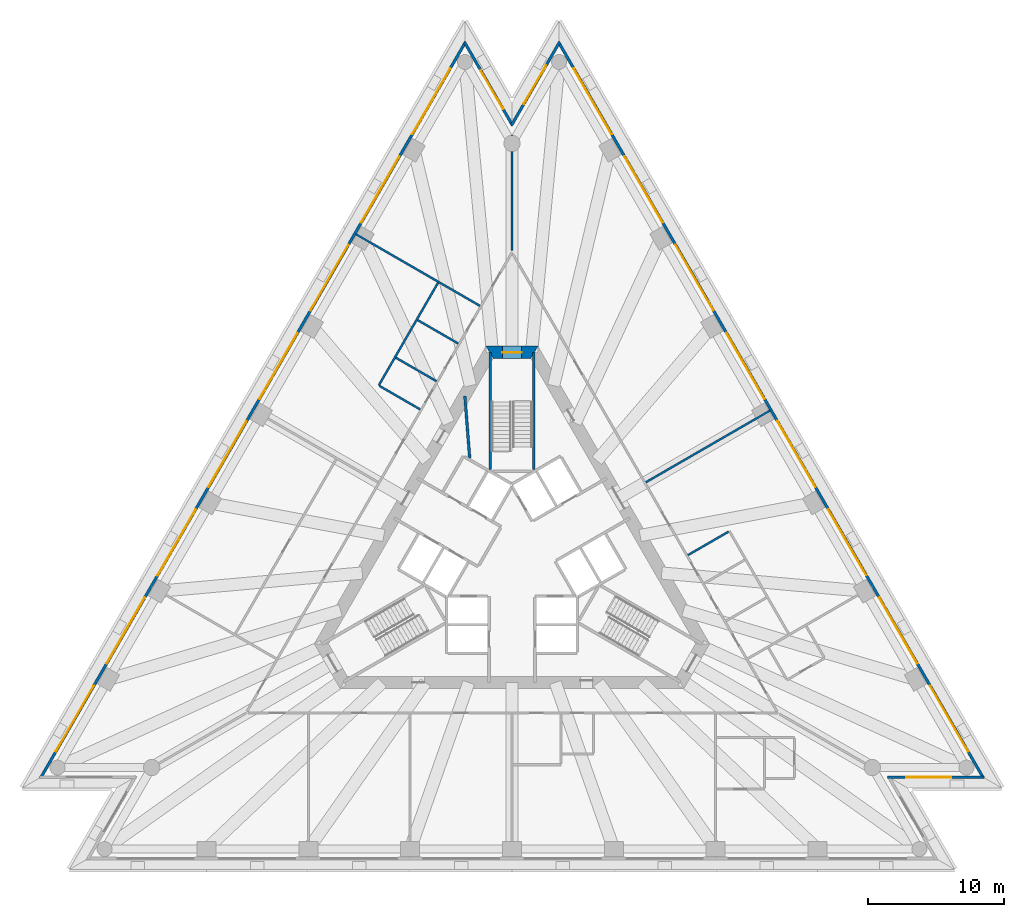
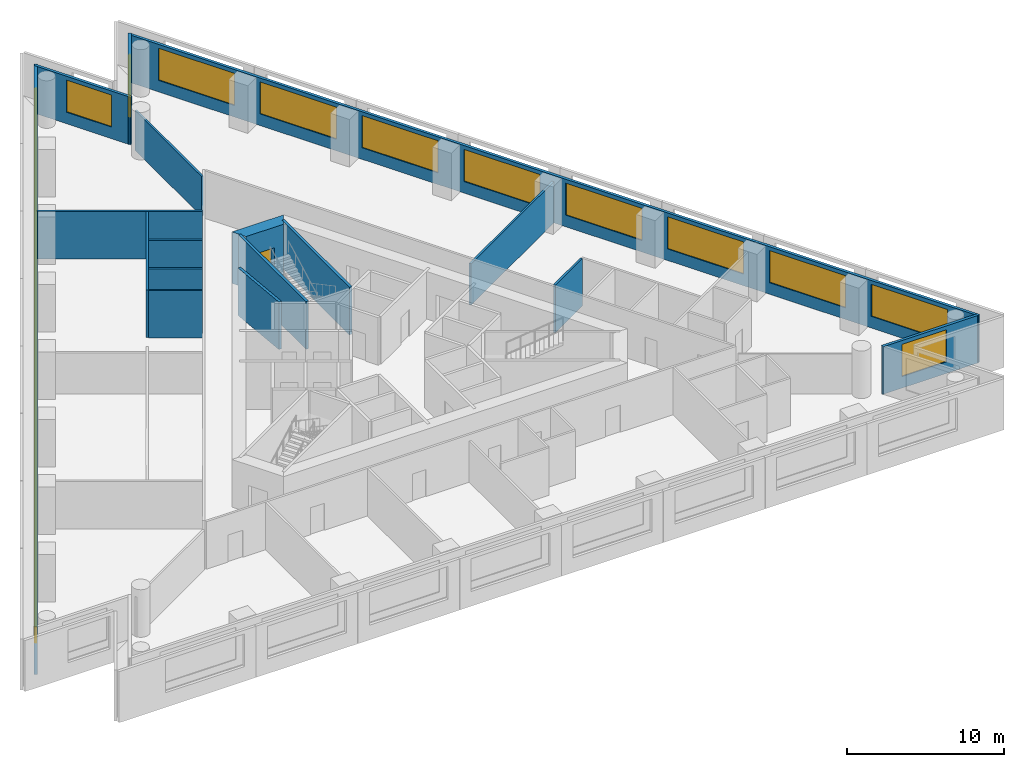
# One storey, part 6 of 9: 19 windows, 17 walls, 1 door, 20 openings.
"""IFC4 building model written with IfcOpenShell, lengths in metres."""

import ifcopenshell
import ifcopenshell.guid

model = None  # the IFC model being written
_history = None  # IfcOwnerHistory: only IFC2X3 demands one
_inside = {}  # id of a spatial element -> (the spatial element, [elements in it])
_under = {}  # id of a project, library or spatial element -> (it, [spatial elements below it])
_declared = {}  # id of a project -> (the project, [libraries it declares])
_typed = {}  # id of a type object -> (the type object, [elements of that type])
_made_of = {}  # id of a material, layer set ... -> (it, [elements and type objects made of it])


def new_model(schema):
    """Start an empty IFC model of exactly this schema.

    Asked for "IFC4X3", IfcOpenShell would pick the latest addendum, in which some entities
    have other attributes; the version numbers below select the first issue.
    IFC2X3 requires an IfcOwnerHistory on every rooted entity: one is made here for all.
    """
    global model, _history
    if schema == "IFC4X3":
        model = ifcopenshell.file(schema_version=(4, 3, 0, 0))
    else:
        model = ifcopenshell.file(schema=schema)
    _inside.clear()
    _under.clear()
    _declared.clear()
    _typed.clear()
    _made_of.clear()
    _history = None
    if model.schema == "IFC2X3":
        org = make("IfcOrganization", Name="unknown")
        user = make(
            "IfcPersonAndOrganization",
            ThePerson=make("IfcPerson", FamilyName="unknown"),
            TheOrganization=org,
        )
        app = make(
            "IfcApplication",
            ApplicationDeveloper=org,
            Version="unknown",
            ApplicationFullName="unknown",
            ApplicationIdentifier="unknown",
        )
        _history = make(
            "IfcOwnerHistory",
            OwningUser=user,
            OwningApplication=app,
            ChangeAction="ADDED",
            CreationDate=0,
        )
    return model


def make(cls, **values):
    """One entity of the class cls with the attributes given. An attribute that is None is left unset."""
    return model.create_entity(
        cls, **{name: value for name, value in values.items() if value is not None}
    )


def rooted(cls, **values):
    """An entity with a GlobalId (a new one), such as an element, a storey or a relation."""
    return make(cls, GlobalId=ifcopenshell.guid.new(), OwnerHistory=_history, **values)


def si_unit(unit_type, name, prefix=None):
    """IfcSIUnit, for example si_unit("LENGTHUNIT", "METRE", prefix="MILLI")."""
    return make("IfcSIUnit", UnitType=unit_type, Prefix=prefix, Name=name)


def assignment(units):
    """IfcUnitAssignment: the units of a project."""
    return None if units is None else make("IfcUnitAssignment", Units=units)


def point(xyz):
    """IfcCartesianPoint."""
    return None if xyz is None else make("IfcCartesianPoint", Coordinates=xyz)


def direction(xyz):
    """IfcDirection."""
    return None if xyz is None else make("IfcDirection", DirectionRatios=xyz)


def frame(location, z_axis=None, x_axis=None):
    """IfcAxis2Placement3D, a coordinate frame: its origin and axes. An axis left out is left unset."""
    return make(
        "IfcAxis2Placement3D",
        Location=point(location),
        Axis=direction(z_axis),
        RefDirection=direction(x_axis),
    )


def frame_2d(location, x_axis=None):
    """IfcAxis2Placement2D, a coordinate frame in the plane: its origin and x axis."""
    return make(
        "IfcAxis2Placement2D", Location=point(location), RefDirection=direction(x_axis)
    )


def origin():
    """The frame at (0, 0, 0) with its axes left unset."""
    return frame((0.0, 0.0, 0.0))


def place(relative_to, where):
    """IfcLocalPlacement: puts the frame where relative to a parent placement (None: the world)."""
    return make(
        "IfcLocalPlacement", PlacementRelTo=relative_to, RelativePlacement=where
    )


def context(
    kind, dimensions, precision=None, world=None, true_north=None, identifier=None
):
    """IfcGeometricRepresentationContext, for example the 3D "Model" context."""
    return make(
        "IfcGeometricRepresentationContext",
        ContextIdentifier=identifier,
        ContextType=kind,
        CoordinateSpaceDimension=dimensions,
        Precision=precision,
        WorldCoordinateSystem=world,
        TrueNorth=true_north,
    )


def subcontext(parent, identifier, kind, view, scale=None):
    """IfcGeometricRepresentationSubContext, for example "Body" below "Model"."""
    return make(
        "IfcGeometricRepresentationSubContext",
        ContextIdentifier=identifier,
        ContextType=kind,
        ParentContext=parent,
        TargetScale=scale,
        TargetView=view,
    )


def project(units=None, contexts=None):
    """IfcProject with its units and contexts."""
    return rooted(
        "IfcProject",
        Name="project",
        RepresentationContexts=contexts,
        UnitsInContext=assignment(units),
    )


def spatial(cls, under=None, at=None, **own):
    """A site, building, storey or space (cls), placed at a placement, below another one or the project."""
    s = rooted(cls, ObjectPlacement=at, **own)
    if under is not None:
        _under.setdefault(under.id(), (under, []))[1].append(s)
    return s


def polyline(points):
    """IfcPolyline through the points."""
    return make("IfcPolyline", Points=[point(p) for p in points])


def profile(cls, at=None, kind="AREA", **sizes):
    """A parametric profile (cls). Its sizes go by their IFC names, for example OverallWidth=200.0."""
    return make(cls, ProfileType=kind, Position=at, **sizes)


def rectangle(**sizes):
    """IfcRectangleProfileDef."""
    return profile("IfcRectangleProfileDef", **sizes)


def outline(outer, holes=None, kind="AREA"):
    """IfcArbitraryClosedProfileDef: a profile drawn as a closed curve; with holes, ...WithVoids."""
    if holes is None:
        return make("IfcArbitraryClosedProfileDef", ProfileType=kind, OuterCurve=outer)
    return make(
        "IfcArbitraryProfileDefWithVoids",
        ProfileType=kind,
        OuterCurve=outer,
        InnerCurves=holes,
    )


def extrude(swept, where, along, depth):
    """IfcExtrudedAreaSolid: the profile swept, set in the frame where, extruded along a direction by depth."""
    return make(
        "IfcExtrudedAreaSolid",
        SweptArea=swept,
        Position=where,
        ExtrudedDirection=direction(along),
        Depth=depth,
    )


def shape(context_of_items, identifier, shape_type, items):
    """IfcShapeRepresentation: the items that make up one representation, for example the "Body"."""
    return make(
        "IfcShapeRepresentation",
        ContextOfItems=context_of_items,
        RepresentationIdentifier=identifier,
        RepresentationType=shape_type,
        Items=items,
    )


def material(Name=None, Category=None):
    """IfcMaterial."""
    return make("IfcMaterial", Name=Name, Category=Category)


def layer(
    of_material, thickness, ventilated=None, Name=None, Category=None, Priority=None
):
    """IfcMaterialLayer: one layer of a wall or slab, of a material (None: an air gap)."""
    return make(
        "IfcMaterialLayer",
        Material=of_material,
        LayerThickness=thickness,
        IsVentilated=ventilated,
        Name=Name,
        Category=Category,
        Priority=Priority,
    )


def layer_set(layers, Name=None):
    """IfcMaterialLayerSet."""
    return make("IfcMaterialLayerSet", MaterialLayers=layers, LayerSetName=Name)


def layer_usage(for_layer_set, set_direction, sense, offset, extent=None):
    """IfcMaterialLayerSetUsage: how a layer set lies in its element."""
    return make(
        "IfcMaterialLayerSetUsage",
        ForLayerSet=for_layer_set,
        LayerSetDirection=set_direction,
        DirectionSense=sense,
        OffsetFromReferenceLine=offset,
        ReferenceExtent=extent,
    )


def made_of(thing, what):
    """Note that an element or type object is made of a material, layer set ...; save() writes the relation."""
    if what is not None:
        _made_of.setdefault(what.id(), (what, []))[1].append(thing)
    return thing


def type_object(cls, material=None, **own):
    """A type object (cls), such as IfcWallType, which elements share."""
    return made_of(rooted(cls, **own), material)


def element(
    cls,
    number,
    at=None,
    inside=None,
    cuts=None,
    type_object=None,
    material=None,
    context=None,
    identifier="Body",
    shape_type=None,
    held_by="IfcProductDefinitionShape",
    body=None,
    shapes=None,
    **own,
):
    """One element of the class cls, such as IfcWall. Its Tag is "e" and its number.

    at: its placement. inside: the storey or other place that contains it. cuts: it is an
    opening in that element (IfcRelVoidsElement). A single representation is given by context,
    identifier, shape_type and body (its items); several are given by shapes. held_by: the class
    of the entity that holds the representations. save() writes the other relations.
    """
    e = rooted(cls, Tag="e%d" % number, ObjectPlacement=at, **own)
    if body is not None:
        shapes = [shape(context, identifier, shape_type, body)]
    if shapes is not None:
        e.Representation = make(held_by, Representations=shapes)
    if inside is not None:
        _inside.setdefault(inside.id(), (inside, []))[1].append(e)
    if cuts is not None:
        rooted(
            "IfcRelVoidsElement", RelatingBuildingElement=cuts, RelatedOpeningElement=e
        )
    if type_object is not None:
        _typed.setdefault(type_object.id(), (type_object, []))[1].append(e)
    return made_of(e, material)


def fill(opening, filler):
    """IfcRelFillsElement: the door or window that sits in an opening."""
    return rooted(
        "IfcRelFillsElement",
        RelatingOpeningElement=opening,
        RelatedBuildingElement=filler,
    )


def aggregate(whole, parts):
    """IfcRelAggregates: a whole, such as a stair, and the parts it consists of."""
    return rooted("IfcRelAggregates", RelatingObject=whole, RelatedObjects=parts)


def save(model, path):
    """Write the relations noted so far, then the file.

    IfcRelAggregates (storeys below a building ...), IfcRelContainedInSpatialStructure (elements
    in a storey), IfcRelDefinesByType, IfcRelAssociatesMaterial and IfcRelDeclares: one each for
    every whole, place, type object, material and project.
    """
    for whole, parts in _under.values():
        aggregate(whole, parts)
    for where, things in _inside.values():
        rooted(
            "IfcRelContainedInSpatialStructure",
            RelatedElements=things,
            RelatingStructure=where,
        )
    for kind, things in _typed.values():
        rooted("IfcRelDefinesByType", RelatedObjects=things, RelatingType=kind)
    for what, things in _made_of.values():
        rooted("IfcRelAssociatesMaterial", RelatedObjects=things, RelatingMaterial=what)
    for by, libraries in _declared.values():
        rooted("IfcRelDeclares", RelatingContext=by, RelatedDefinitions=libraries)
    model.write(path)


model = new_model("IFC4")

# Units and contexts
model_context = context("Model", 3, precision=1e-05, world=origin(), true_north=direction((0.0, 1.0)))
body_context = subcontext(model_context, "Body", "Model", "MODEL_VIEW")
ifc_project = project(units=[si_unit("LENGTHUNIT", "METRE"), si_unit("AREAUNIT", "SQUARE_METRE"), si_unit("VOLUMEUNIT", "CUBIC_METRE"), si_unit("PLANEANGLEUNIT", "RADIAN"), si_unit("MASSUNIT", "GRAM", prefix="KILO")], contexts=[model_context])

# Site, building, storey
site_placement = place(None, origin())
site = spatial("IfcSite", under=ifc_project, at=site_placement, CompositionType="ELEMENT")
building_placement = place(site_placement, origin())
building = spatial("IfcBuilding", under=site, at=building_placement, Name="Triada Interchange Tower", CompositionType="ELEMENT")
storey_placement = place(building_placement, frame((0.0, 0.0, 51.300048828125)))
storey = spatial("IfcBuildingStorey", under=building, at=storey_placement, Name="L10", CompositionType="ELEMENT", Elevation=51.300048828125)

# Walls
ifc_material_1 = material(Name="Concrete C30/37", Category="concrete")
ifc_layer_1 = layer(ifc_material_1, 0.199951171875)
ifc_layer_set_1 = layer_set([ifc_layer_1], Name="CORE WALL 200 EI 90")
wall_type_1 = type_object("IfcWallType", Name="CORE WALL 200 EI 90", PredefinedType="SOLIDWALL", material=ifc_layer_set_1)
wall_1_placement = place(storey_placement, frame((-3.470947265625, 12.048095703125, 0.0), z_axis=(0.0, 0.0, 1.0), x_axis=(0.077900012222, -0.996961176825, 0.0)))
element("IfcWall", 1, at=wall_1_placement, inside=storey, type_object=wall_type_1, Name="Wall L09 74", PredefinedType="SOLIDWALL", context=body_context, shape_type="SweptSolid", body=[
    extrude(rectangle(XDim=4.60693359375, YDim=0.199951171875, at=frame_2d((2.303466796875, 0.0))), origin(), (0.0, 0.0, 1.0), 3.699951171875),
])
ifc_layer_2 = layer(ifc_material_1, 0.199951171875)
ifc_layer_set_2 = layer_set([ifc_layer_2], Name="CORE WALL 200 REI 240")
wall_type_2 = type_object("IfcWallType", Name="CORE WALL 200 REI 240", PredefinedType="SOLIDWALL", material=ifc_layer_set_2)
for number, where, z_axis, x_axis, name in (
    (2, (1.60009765625, 6.614990234375, 0.0), (0.0, 0.0, 1.0), (0.0, 1.0, 0.0), "Wall L09 78"),
    (3, (-1.60009765625, 6.614990234375, 0.0), (0.0, 0.0, 1.0), (0.0, 1.0, 0.0), "Wall L09 80"),
):
    element("IfcWall", number, at=place(storey_placement, frame(where, z_axis=z_axis, x_axis=x_axis)), inside=storey, type_object=wall_type_2, Name=name, PredefinedType="SOLIDWALL", context=body_context, shape_type="SweptSolid", body=[
        extrude(rectangle(XDim=8.614990234375, YDim=0.199951171875, at=frame_2d((4.3076171875, 0.0))), origin(), (0.0, 0.0, 1.0), 3.699951171875),
    ])

# Wall, opening, door
ifc_material_2 = material(Name="Concrete C70/85", Category="concrete")
ifc_layer_3 = layer(ifc_material_2, 0.89990234375)
ifc_layer_set_3 = layer_set([ifc_layer_3], Name="Core wall A 900")
wall_type_3 = type_object("IfcWallType", Name="Core wall A 900", PredefinedType="SHEAR", material=ifc_layer_set_3)
wall_2_placement = place(storey_placement, frame((1.64501953125, 15.25, -0.300048828125), z_axis=(0.0, 0.0, 1.0), x_axis=(-1.0, 0.0, 0.0)))
wall_2 = element("IfcWall", 4, at=wall_2_placement, inside=storey, type_object=wall_type_3, Name="Core wall WA01 L10", PredefinedType="SHEAR", context=body_context, shape_type="SweptSolid", body=[
    extrude(outline(polyline([(-0.260009765625, -0.449951171875), (1.64501953125, -0.449951171875), (3.550048828125, -0.449951171875), (3.031005859375, 0.449951171875), (1.64501953125, 0.449951171875), (0.259033203125, 0.449951171875), (-0.260009765625, -0.449951171875)])), origin(), (0.0, 0.0, 1.0), 4.0),
])
opening_1_placement = place(wall_2_placement, frame((0.945068359375, 0.0, 0.300048828125)))
opening_1 = element("IfcOpeningElement", 5, at=opening_1_placement, cuts=wall_2, Name="Opening D09-36", PredefinedType="OPENING", context=body_context, shape_type="SweptSolid", body=[
    extrude(rectangle(XDim=1.39990234375, YDim=2.10009765625, at=frame_2d((0.699951171875, 1.050048828125))), frame((0.0, 0.4599609375, 0.0), z_axis=(0.0, -1.0, 0.0), x_axis=(1.0, 0.0, 0.0)), (0.0, 0.0, 1.0), 0.919921875),
])
ifc_material_3 = material(Name="Steel S235 door leaf", Category="steel")
door_type = type_object("IfcDoorType", Name="STAIR DOOR 1400 EI2 90-C5S200", OperationType="DOUBLE_DOOR_SINGLE_SWING", PredefinedType="DOOR", material=ifc_material_3)
door_placement = place(opening_1_placement, origin())
door = element("IfcDoor", 6, at=door_placement, inside=storey, type_object=door_type, Name="Door D09-36 L10", OperationType="DOUBLE_DOOR_SINGLE_SWING", OverallHeight=2.10009765625, OverallWidth=1.39990234375, PredefinedType="DOOR", context=body_context, shape_type="SweptSolid", body=[
    extrude(rectangle(XDim=1.39990234375, YDim=2.10009765625, at=frame_2d((0.699951171875, 1.050048828125))), frame((0.0, 0.02490234375, 0.0), z_axis=(0.0, -1.0, 0.0), x_axis=(1.0, 0.0, 0.0)), (0.0, 0.0, 1.0), 0.050048828125),
])
fill(opening_1, door)

# Wall, openings, windows
ifc_material_4 = material(Name="Cement board")
ifc_layer_4 = layer(ifc_material_4, 0.02001953125, Name="Cement board cladding")
ifc_material_5 = material(Name="Sheathing board")
ifc_layer_5 = layer(ifc_material_5, 0.014892578125, Name="Sheathing board")
ifc_material_6 = material(Name="Mineral wool")
ifc_layer_6 = layer(ifc_material_6, 0.14990234375, Name="Mineral wool between steel studs")
ifc_material_7 = material(Name="Gypsum board")
ifc_layer_7 = layer(ifc_material_7, 0.014892578125, Name="Plasterboard lining")
ifc_layer_set_4 = layer_set([ifc_layer_4, ifc_layer_5, ifc_layer_6, ifc_layer_7], Name="External wall 200")
ifc_layer_usage = layer_usage(ifc_layer_set_4, "AXIS2", "POSITIVE", -0.10009765625)
wall_type_4 = type_object("IfcWallType", Name="External wall 200", PredefinedType="ELEMENTEDWALL", material=ifc_layer_set_4)
wall_3_placement = place(storey_placement, frame((-3.4169921875, 38.095947265625, 0.0), z_axis=(0.0, 0.0, 1.0), x_axis=(-0.500000412988, -0.866025165346, 0.0)))
wall_3 = element("IfcWall", 7, at=wall_3_placement, inside=storey, type_object=wall_type_4, material=ifc_layer_usage, Name="External wall L10 NW", PredefinedType="ELEMENTEDWALL", context=body_context, shape_type="SweptSolid", body=[
    extrude(rectangle(XDim=62.5478515625, YDim=0.199951171875, at=frame_2d((31.27392578125, 0.0))), origin(), (0.0, 0.0, 1.0), 3.699951171875),
])
opening_2_placement = place(wall_3_placement, frame((2.25, 0.0, 0.89990234375)))
opening_2 = element("IfcOpeningElement", 8, at=opening_2_placement, cuts=wall_3, Name="Opening WA01", PredefinedType="OPENING", context=body_context, shape_type="SweptSolid", body=[
    extrude(rectangle(XDim=5.60009765625, YDim=2.5, at=frame_2d((2.800048828125, 1.25))), frame((0.0, 0.10986328125, 0.0), z_axis=(0.0, -1.0, 0.0), x_axis=(1.0, 0.0, 0.0)), (0.0, 0.0, 1.0), 0.219970703125),
])
opening_3_placement = place(wall_3_placement, frame((9.7451171875, 0.0, 0.89990234375)))
opening_3 = element("IfcOpeningElement", 9, at=opening_3_placement, cuts=wall_3, Name="Opening WA02", PredefinedType="OPENING", context=body_context, shape_type="SweptSolid", body=[
    extrude(rectangle(XDim=5.60009765625, YDim=2.5, at=frame_2d((2.800048828125, 1.25))), frame((0.0, 0.10986328125, 0.0), z_axis=(0.0, -1.0, 0.0), x_axis=(1.0, 0.0, 0.0)), (0.0, 0.0, 1.0), 0.219970703125),
])
opening_4_placement = place(wall_3_placement, frame((17.240966796875, 0.0, 0.89990234375)))
opening_4 = element("IfcOpeningElement", 10, at=opening_4_placement, cuts=wall_3, Name="Opening WA03", PredefinedType="OPENING", context=body_context, shape_type="SweptSolid", body=[
    extrude(rectangle(XDim=5.60009765625, YDim=2.5, at=frame_2d((2.800048828125, 1.25))), frame((0.0, 0.10986328125, 0.0), z_axis=(0.0, -1.0, 0.0), x_axis=(1.0, 0.0, 0.0)), (0.0, 0.0, 1.0), 0.219970703125),
])
opening_5_placement = place(wall_3_placement, frame((24.736083984375, 0.0, 0.89990234375)))
opening_5 = element("IfcOpeningElement", 11, at=opening_5_placement, cuts=wall_3, Name="Opening WA04", PredefinedType="OPENING", context=body_context, shape_type="SweptSolid", body=[
    extrude(rectangle(XDim=5.60009765625, YDim=2.5, at=frame_2d((2.800048828125, 1.25))), frame((0.0, 0.10986328125, 0.0), z_axis=(0.0, -1.0, 0.0), x_axis=(1.0, 0.0, 0.0)), (0.0, 0.0, 1.0), 0.219970703125),
])
opening_6_placement = place(wall_3_placement, frame((32.23095703125, 0.0, 0.89990234375)))
opening_6 = element("IfcOpeningElement", 12, at=opening_6_placement, cuts=wall_3, Name="Opening WA05", PredefinedType="OPENING", context=body_context, shape_type="SweptSolid", body=[
    extrude(rectangle(XDim=5.60009765625, YDim=2.5, at=frame_2d((2.800048828125, 1.25))), frame((0.0, 0.10986328125, 0.0), z_axis=(0.0, -1.0, 0.0), x_axis=(1.0, 0.0, 0.0)), (0.0, 0.0, 1.0), 0.219970703125),
])
opening_7_placement = place(wall_3_placement, frame((39.72705078125, 0.0, 0.89990234375)))
opening_7 = element("IfcOpeningElement", 13, at=opening_7_placement, cuts=wall_3, Name="Opening WA06", PredefinedType="OPENING", context=body_context, shape_type="SweptSolid", body=[
    extrude(rectangle(XDim=5.60009765625, YDim=2.5, at=frame_2d((2.800048828125, 1.25))), frame((0.0, 0.10986328125, 0.0), z_axis=(0.0, -1.0, 0.0), x_axis=(1.0, 0.0, 0.0)), (0.0, 0.0, 1.0), 0.219970703125),
])
opening_8_placement = place(wall_3_placement, frame((47.221923828125, 0.0, 0.89990234375)))
opening_8 = element("IfcOpeningElement", 14, at=opening_8_placement, cuts=wall_3, Name="Opening WA07", PredefinedType="OPENING", context=body_context, shape_type="SweptSolid", body=[
    extrude(rectangle(XDim=5.60009765625, YDim=2.5, at=frame_2d((2.800048828125, 1.25))), frame((0.0, 0.10986328125, 0.0), z_axis=(0.0, -1.0, 0.0), x_axis=(1.0, 0.0, 0.0)), (0.0, 0.0, 1.0), 0.219970703125),
])
opening_9_placement = place(wall_3_placement, frame((54.717041015625, 0.0, 0.89990234375)))
opening_9 = element("IfcOpeningElement", 15, at=opening_9_placement, cuts=wall_3, Name="Opening WA08", PredefinedType="OPENING", context=body_context, shape_type="SweptSolid", body=[
    extrude(rectangle(XDim=5.60009765625, YDim=2.5, at=frame_2d((2.800048828125, 1.25))), frame((0.0, 0.10986328125, 0.0), z_axis=(0.0, -1.0, 0.0), x_axis=(1.0, 0.0, 0.0)), (0.0, 0.0, 1.0), 0.219970703125),
])
ifc_material_8 = material(Name="Double glazed aluminium window", Category="aluminium")
window_type_1 = type_object("IfcWindowType", Name="Ribbon window A face", PartitioningType="SINGLE_PANEL", PredefinedType="WINDOW", material=ifc_material_8)
window_1_placement = place(opening_2_placement, origin())
window_1 = element("IfcWindow", 16, at=window_1_placement, inside=storey, type_object=window_type_1, Name="Window L10 NW 1", OverallHeight=2.5, OverallWidth=5.60009765625, PartitioningType="SINGLE_PANEL", PredefinedType="WINDOW", context=body_context, shape_type="SweptSolid", body=[
    extrude(rectangle(XDim=5.60009765625, YDim=2.5, at=frame_2d((2.800048828125, 1.25))), frame((0.0, 0.030029296875, 0.0), z_axis=(0.0, -1.0, 0.0), x_axis=(1.0, 0.0, 0.0)), (0.0, 0.0, 1.0), 0.06005859375),
])
fill(opening_2, window_1)
window_2_placement = place(opening_3_placement, origin())
window_2 = element("IfcWindow", 17, at=window_2_placement, inside=storey, type_object=window_type_1, Name="Window L10 NW 2", OverallHeight=2.5, OverallWidth=5.60009765625, PartitioningType="SINGLE_PANEL", PredefinedType="WINDOW", context=body_context, shape_type="SweptSolid", body=[
    extrude(rectangle(XDim=5.60009765625, YDim=2.5, at=frame_2d((2.800048828125, 1.25))), frame((0.0, 0.030029296875, 0.0), z_axis=(0.0, -1.0, 0.0), x_axis=(1.0, 0.0, 0.0)), (0.0, 0.0, 1.0), 0.06005859375),
])
fill(opening_3, window_2)
window_3_placement = place(opening_4_placement, origin())
window_3 = element("IfcWindow", 18, at=window_3_placement, inside=storey, type_object=window_type_1, Name="Window L10 NW 3", OverallHeight=2.5, OverallWidth=5.60009765625, PartitioningType="SINGLE_PANEL", PredefinedType="WINDOW", context=body_context, shape_type="SweptSolid", body=[
    extrude(rectangle(XDim=5.60009765625, YDim=2.5, at=frame_2d((2.800048828125, 1.25))), frame((0.0, 0.030029296875, 0.0), z_axis=(0.0, -1.0, 0.0), x_axis=(1.0, 0.0, 0.0)), (0.0, 0.0, 1.0), 0.06005859375),
])
fill(opening_4, window_3)
window_4_placement = place(opening_5_placement, origin())
window_4 = element("IfcWindow", 19, at=window_4_placement, inside=storey, type_object=window_type_1, Name="Window L10 NW 4", OverallHeight=2.5, OverallWidth=5.60009765625, PartitioningType="SINGLE_PANEL", PredefinedType="WINDOW", context=body_context, shape_type="SweptSolid", body=[
    extrude(rectangle(XDim=5.60009765625, YDim=2.5, at=frame_2d((2.800048828125, 1.25))), frame((0.0, 0.030029296875, 0.0), z_axis=(0.0, -1.0, 0.0), x_axis=(1.0, 0.0, 0.0)), (0.0, 0.0, 1.0), 0.06005859375),
])
fill(opening_5, window_4)
window_5_placement = place(opening_6_placement, origin())
window_5 = element("IfcWindow", 20, at=window_5_placement, inside=storey, type_object=window_type_1, Name="Window L10 NW 5", OverallHeight=2.5, OverallWidth=5.60009765625, PartitioningType="SINGLE_PANEL", PredefinedType="WINDOW", context=body_context, shape_type="SweptSolid", body=[
    extrude(rectangle(XDim=5.60009765625, YDim=2.5, at=frame_2d((2.800048828125, 1.25))), frame((0.0, 0.030029296875, 0.0), z_axis=(0.0, -1.0, 0.0), x_axis=(1.0, 0.0, 0.0)), (0.0, 0.0, 1.0), 0.06005859375),
])
fill(opening_6, window_5)
window_6_placement = place(opening_7_placement, origin())
window_6 = element("IfcWindow", 21, at=window_6_placement, inside=storey, type_object=window_type_1, Name="Window L10 NW 6", OverallHeight=2.5, OverallWidth=5.60009765625, PartitioningType="SINGLE_PANEL", PredefinedType="WINDOW", context=body_context, shape_type="SweptSolid", body=[
    extrude(rectangle(XDim=5.60009765625, YDim=2.5, at=frame_2d((2.800048828125, 1.25))), frame((0.0, 0.030029296875, 0.0), z_axis=(0.0, -1.0, 0.0), x_axis=(1.0, 0.0, 0.0)), (0.0, 0.0, 1.0), 0.06005859375),
])
fill(opening_7, window_6)
window_7_placement = place(opening_8_placement, origin())
window_7 = element("IfcWindow", 22, at=window_7_placement, inside=storey, type_object=window_type_1, Name="Window L10 NW 7", OverallHeight=2.5, OverallWidth=5.60009765625, PartitioningType="SINGLE_PANEL", PredefinedType="WINDOW", context=body_context, shape_type="SweptSolid", body=[
    extrude(rectangle(XDim=5.60009765625, YDim=2.5, at=frame_2d((2.800048828125, 1.25))), frame((0.0, 0.030029296875, 0.0), z_axis=(0.0, -1.0, 0.0), x_axis=(1.0, 0.0, 0.0)), (0.0, 0.0, 1.0), 0.06005859375),
])
fill(opening_8, window_7)
window_8_placement = place(opening_9_placement, origin())
window_8 = element("IfcWindow", 23, at=window_8_placement, inside=storey, type_object=window_type_1, Name="Window L10 NW 8", OverallHeight=2.5, OverallWidth=5.60009765625, PartitioningType="SINGLE_PANEL", PredefinedType="WINDOW", context=body_context, shape_type="SweptSolid", body=[
    extrude(rectangle(XDim=5.60009765625, YDim=2.5, at=frame_2d((2.800048828125, 1.25))), frame((0.0, 0.030029296875, 0.0), z_axis=(0.0, -1.0, 0.0), x_axis=(1.0, 0.0, 0.0)), (0.0, 0.0, 1.0), 0.06005859375),
])
fill(opening_9, window_8)

# Wall, opening, window
wall_4_placement = place(storey_placement, frame((27.64208984375, -16.010986328125, 0.0), z_axis=(0.0, 0.0, 1.0), x_axis=(1.0, 0.0, 0.0)))
wall_4 = element("IfcWall", 24, at=wall_4_placement, inside=storey, type_object=wall_type_4, material=ifc_layer_usage, Name="External wall L10 SE-2", PredefinedType="ELEMENTEDWALL", context=body_context, shape_type="SweptSolid", body=[
    extrude(rectangle(XDim=7.083984375, YDim=0.199951171875, at=frame_2d((3.5419921875, 0.0))), origin(), (0.0, 0.0, 1.0), 3.699951171875),
])
opening_10_placement = place(wall_4_placement, frame((1.389892578125, 0.0, 0.89990234375)))
opening_10 = element("IfcOpeningElement", 25, at=opening_10_placement, cuts=wall_4, Name="Opening WA20", PredefinedType="OPENING", context=body_context, shape_type="SweptSolid", body=[
    extrude(rectangle(XDim=3.300048828125, YDim=2.5, at=frame_2d((1.64990234375, 1.25))), frame((0.0, 0.10986328125, 0.0), z_axis=(0.0, -1.0, 0.0), x_axis=(1.0, 0.0, 0.0)), (0.0, 0.0, 1.0), 0.219970703125),
])
window_type_2 = type_object("IfcWindowType", Name="Ribbon window A pocket", PartitioningType="SINGLE_PANEL", PredefinedType="WINDOW", material=ifc_material_8)
window_9_placement = place(opening_10_placement, origin())
window_9 = element("IfcWindow", 26, at=window_9_placement, inside=storey, type_object=window_type_2, Name="Window L10 SE-2 1", OverallHeight=2.5, OverallWidth=3.300048828125, PartitioningType="SINGLE_PANEL", PredefinedType="WINDOW", context=body_context, shape_type="SweptSolid", body=[
    extrude(rectangle(XDim=3.300048828125, YDim=2.5, at=frame_2d((1.64990234375, 1.25))), frame((0.0, 0.030029296875, 0.0), z_axis=(0.0, -1.0, 0.0), x_axis=(1.0, 0.0, 0.0)), (0.0, 0.0, 1.0), 0.06005859375),
])
fill(opening_10, window_9)

# Wall, openings, windows
wall_5_placement = place(storey_placement, frame((34.700927734375, -16.089111328125, 0.0), z_axis=(0.0, 0.0, 1.0), x_axis=(-0.499998722828, 0.866026141159, 0.0)))
wall_5 = element("IfcWall", 27, at=wall_5_placement, inside=storey, type_object=wall_type_4, material=ifc_layer_usage, Name="External wall L10 NE", PredefinedType="ELEMENTEDWALL", context=body_context, shape_type="SweptSolid", body=[
    extrude(rectangle(XDim=62.548095703125, YDim=0.199951171875, at=frame_2d((31.27392578125, 0.0))), origin(), (0.0, 0.0, 1.0), 3.699951171875),
])
opening_11_placement = place(wall_5_placement, frame((2.25, 0.0, 0.89990234375)))
opening_11 = element("IfcOpeningElement", 28, at=opening_11_placement, cuts=wall_5, Name="Opening WA21", PredefinedType="OPENING", context=body_context, shape_type="SweptSolid", body=[
    extrude(rectangle(XDim=5.60009765625, YDim=2.5, at=frame_2d((2.800048828125, 1.25))), frame((0.0, 0.10986328125, 0.0), z_axis=(0.0, -1.0, 0.0), x_axis=(1.0, 0.0, 0.0)), (0.0, 0.0, 1.0), 0.219970703125),
])
opening_12_placement = place(wall_5_placement, frame((9.74609375, 0.0, 0.89990234375)))
opening_12 = element("IfcOpeningElement", 29, at=opening_12_placement, cuts=wall_5, Name="Opening WA22", PredefinedType="OPENING", context=body_context, shape_type="SweptSolid", body=[
    extrude(rectangle(XDim=5.60009765625, YDim=2.5, at=frame_2d((2.800048828125, 1.25))), frame((0.0, 0.10986328125, 0.0), z_axis=(0.0, -1.0, 0.0), x_axis=(1.0, 0.0, 0.0)), (0.0, 0.0, 1.0), 0.219970703125),
])
opening_13_placement = place(wall_5_placement, frame((17.240966796875, 0.0, 0.89990234375)))
opening_13 = element("IfcOpeningElement", 30, at=opening_13_placement, cuts=wall_5, Name="Opening WA23", PredefinedType="OPENING", context=body_context, shape_type="SweptSolid", body=[
    extrude(rectangle(XDim=5.60009765625, YDim=2.5, at=frame_2d((2.800048828125, 1.25))), frame((0.0, 0.10986328125, 0.0), z_axis=(0.0, -1.0, 0.0), x_axis=(1.0, 0.0, 0.0)), (0.0, 0.0, 1.0), 0.219970703125),
])
opening_14_placement = place(wall_5_placement, frame((24.736083984375, 0.0, 0.89990234375)))
opening_14 = element("IfcOpeningElement", 31, at=opening_14_placement, cuts=wall_5, Name="Opening WA24", PredefinedType="OPENING", context=body_context, shape_type="SweptSolid", body=[
    extrude(rectangle(XDim=5.60009765625, YDim=2.5, at=frame_2d((2.800048828125, 1.25))), frame((0.0, 0.10986328125, 0.0), z_axis=(0.0, -1.0, 0.0), x_axis=(1.0, 0.0, 0.0)), (0.0, 0.0, 1.0), 0.219970703125),
])
opening_15_placement = place(wall_5_placement, frame((32.23193359375, 0.0, 0.89990234375)))
opening_15 = element("IfcOpeningElement", 32, at=opening_15_placement, cuts=wall_5, Name="Opening WA25", PredefinedType="OPENING", context=body_context, shape_type="SweptSolid", body=[
    extrude(rectangle(XDim=5.60009765625, YDim=2.5, at=frame_2d((2.800048828125, 1.25))), frame((0.0, 0.10986328125, 0.0), z_axis=(0.0, -1.0, 0.0), x_axis=(1.0, 0.0, 0.0)), (0.0, 0.0, 1.0), 0.219970703125),
])
opening_16_placement = place(wall_5_placement, frame((39.72705078125, 0.0, 0.89990234375)))
opening_16 = element("IfcOpeningElement", 33, at=opening_16_placement, cuts=wall_5, Name="Opening WA26", PredefinedType="OPENING", context=body_context, shape_type="SweptSolid", body=[
    extrude(rectangle(XDim=5.60009765625, YDim=2.5, at=frame_2d((2.800048828125, 1.25))), frame((0.0, 0.10986328125, 0.0), z_axis=(0.0, -1.0, 0.0), x_axis=(1.0, 0.0, 0.0)), (0.0, 0.0, 1.0), 0.219970703125),
])
opening_17_placement = place(wall_5_placement, frame((47.221923828125, 0.0, 0.89990234375)))
opening_17 = element("IfcOpeningElement", 34, at=opening_17_placement, cuts=wall_5, Name="Opening WA27", PredefinedType="OPENING", context=body_context, shape_type="SweptSolid", body=[
    extrude(rectangle(XDim=5.60009765625, YDim=2.5, at=frame_2d((2.800048828125, 1.25))), frame((0.0, 0.10986328125, 0.0), z_axis=(0.0, -1.0, 0.0), x_axis=(1.0, 0.0, 0.0)), (0.0, 0.0, 1.0), 0.219970703125),
])
opening_18_placement = place(wall_5_placement, frame((54.717041015625, 0.0, 0.89990234375)))
opening_18 = element("IfcOpeningElement", 35, at=opening_18_placement, cuts=wall_5, Name="Opening WA28", PredefinedType="OPENING", context=body_context, shape_type="SweptSolid", body=[
    extrude(rectangle(XDim=5.60009765625, YDim=2.5, at=frame_2d((2.800048828125, 1.25))), frame((0.0, 0.10986328125, 0.0), z_axis=(0.0, -1.0, 0.0), x_axis=(1.0, 0.0, 0.0)), (0.0, 0.0, 1.0), 0.219970703125),
])
window_10_placement = place(opening_11_placement, origin())
window_10 = element("IfcWindow", 36, at=window_10_placement, inside=storey, type_object=window_type_1, Name="Window L10 NE 1", OverallHeight=2.5, OverallWidth=5.60009765625, PartitioningType="SINGLE_PANEL", PredefinedType="WINDOW", context=body_context, shape_type="SweptSolid", body=[
    extrude(rectangle(XDim=5.60009765625, YDim=2.5, at=frame_2d((2.800048828125, 1.25))), frame((0.0, 0.030029296875, 0.0), z_axis=(0.0, -1.0, 0.0), x_axis=(1.0, 0.0, 0.0)), (0.0, 0.0, 1.0), 0.06005859375),
])
fill(opening_11, window_10)
window_11_placement = place(opening_12_placement, origin())
window_11 = element("IfcWindow", 37, at=window_11_placement, inside=storey, type_object=window_type_1, Name="Window L10 NE 2", OverallHeight=2.5, OverallWidth=5.60009765625, PartitioningType="SINGLE_PANEL", PredefinedType="WINDOW", context=body_context, shape_type="SweptSolid", body=[
    extrude(rectangle(XDim=5.60009765625, YDim=2.5, at=frame_2d((2.800048828125, 1.25))), frame((0.0, 0.030029296875, 0.0), z_axis=(0.0, -1.0, 0.0), x_axis=(1.0, 0.0, 0.0)), (0.0, 0.0, 1.0), 0.06005859375),
])
fill(opening_12, window_11)
window_12_placement = place(opening_13_placement, origin())
window_12 = element("IfcWindow", 38, at=window_12_placement, inside=storey, type_object=window_type_1, Name="Window L10 NE 3", OverallHeight=2.5, OverallWidth=5.60009765625, PartitioningType="SINGLE_PANEL", PredefinedType="WINDOW", context=body_context, shape_type="SweptSolid", body=[
    extrude(rectangle(XDim=5.60009765625, YDim=2.5, at=frame_2d((2.800048828125, 1.25))), frame((0.0, 0.030029296875, 0.0), z_axis=(0.0, -1.0, 0.0), x_axis=(1.0, 0.0, 0.0)), (0.0, 0.0, 1.0), 0.06005859375),
])
fill(opening_13, window_12)
window_13_placement = place(opening_14_placement, origin())
window_13 = element("IfcWindow", 39, at=window_13_placement, inside=storey, type_object=window_type_1, Name="Window L10 NE 4", OverallHeight=2.5, OverallWidth=5.60009765625, PartitioningType="SINGLE_PANEL", PredefinedType="WINDOW", context=body_context, shape_type="SweptSolid", body=[
    extrude(rectangle(XDim=5.60009765625, YDim=2.5, at=frame_2d((2.800048828125, 1.25))), frame((0.0, 0.030029296875, 0.0), z_axis=(0.0, -1.0, 0.0), x_axis=(1.0, 0.0, 0.0)), (0.0, 0.0, 1.0), 0.06005859375),
])
fill(opening_14, window_13)
window_14_placement = place(opening_15_placement, origin())
window_14 = element("IfcWindow", 40, at=window_14_placement, inside=storey, type_object=window_type_1, Name="Window L10 NE 5", OverallHeight=2.5, OverallWidth=5.60009765625, PartitioningType="SINGLE_PANEL", PredefinedType="WINDOW", context=body_context, shape_type="SweptSolid", body=[
    extrude(rectangle(XDim=5.60009765625, YDim=2.5, at=frame_2d((2.800048828125, 1.25))), frame((0.0, 0.030029296875, 0.0), z_axis=(0.0, -1.0, 0.0), x_axis=(1.0, 0.0, 0.0)), (0.0, 0.0, 1.0), 0.06005859375),
])
fill(opening_15, window_14)
window_15_placement = place(opening_16_placement, origin())
window_15 = element("IfcWindow", 41, at=window_15_placement, inside=storey, type_object=window_type_1, Name="Window L10 NE 6", OverallHeight=2.5, OverallWidth=5.60009765625, PartitioningType="SINGLE_PANEL", PredefinedType="WINDOW", context=body_context, shape_type="SweptSolid", body=[
    extrude(rectangle(XDim=5.60009765625, YDim=2.5, at=frame_2d((2.800048828125, 1.25))), frame((0.0, 0.030029296875, 0.0), z_axis=(0.0, -1.0, 0.0), x_axis=(1.0, 0.0, 0.0)), (0.0, 0.0, 1.0), 0.06005859375),
])
fill(opening_16, window_15)
window_16_placement = place(opening_17_placement, origin())
window_16 = element("IfcWindow", 42, at=window_16_placement, inside=storey, type_object=window_type_1, Name="Window L10 NE 7", OverallHeight=2.5, OverallWidth=5.60009765625, PartitioningType="SINGLE_PANEL", PredefinedType="WINDOW", context=body_context, shape_type="SweptSolid", body=[
    extrude(rectangle(XDim=5.60009765625, YDim=2.5, at=frame_2d((2.800048828125, 1.25))), frame((0.0, 0.030029296875, 0.0), z_axis=(0.0, -1.0, 0.0), x_axis=(1.0, 0.0, 0.0)), (0.0, 0.0, 1.0), 0.06005859375),
])
fill(opening_17, window_16)
window_17_placement = place(opening_18_placement, origin())
window_17 = element("IfcWindow", 43, at=window_17_placement, inside=storey, type_object=window_type_1, Name="Window L10 NE 8", OverallHeight=2.5, OverallWidth=5.60009765625, PartitioningType="SINGLE_PANEL", PredefinedType="WINDOW", context=body_context, shape_type="SweptSolid", body=[
    extrude(rectangle(XDim=5.60009765625, YDim=2.5, at=frame_2d((2.800048828125, 1.25))), frame((0.0, 0.030029296875, 0.0), z_axis=(0.0, -1.0, 0.0), x_axis=(1.0, 0.0, 0.0)), (0.0, 0.0, 1.0), 0.06005859375),
])
fill(opening_18, window_17)

# Wall, opening, window
wall_6_placement = place(storey_placement, frame((3.507080078125, 38.095947265625, 0.0), z_axis=(0.0, 0.0, 1.0), x_axis=(-0.499993928037, -0.866028909405, 0.0)))
wall_6 = element("IfcWall", 44, at=wall_6_placement, inside=storey, type_object=wall_type_4, material=ifc_layer_usage, Name="External wall L10 N-1", PredefinedType="ELEMENTEDWALL", context=body_context, shape_type="SweptSolid", body=[
    extrude(rectangle(XDim=7.083984375, YDim=0.199951171875, at=frame_2d((3.5419921875, 0.0))), origin(), (0.0, 0.0, 1.0), 3.699951171875),
])
opening_19_placement = place(wall_6_placement, frame((1.989990234375, 0.0, 0.89990234375)))
opening_19 = element("IfcOpeningElement", 45, at=opening_19_placement, cuts=wall_6, Name="Opening WA29", PredefinedType="OPENING", context=body_context, shape_type="SweptSolid", body=[
    extrude(rectangle(XDim=3.300048828125, YDim=2.5, at=frame_2d((1.64990234375, 1.25))), frame((0.0, 0.10986328125, 0.0), z_axis=(0.0, -1.0, 0.0), x_axis=(1.0, 0.0, 0.0)), (0.0, 0.0, 1.0), 0.219970703125),
])
window_18_placement = place(opening_19_placement, origin())
window_18 = element("IfcWindow", 46, at=window_18_placement, inside=storey, type_object=window_type_2, Name="Window L10 N-1 1", OverallHeight=2.5, OverallWidth=3.300048828125, PartitioningType="SINGLE_PANEL", PredefinedType="WINDOW", context=body_context, shape_type="SweptSolid", body=[
    extrude(rectangle(XDim=3.300048828125, YDim=2.5, at=frame_2d((1.64990234375, 1.25))), frame((0.0, 0.030029296875, 0.0), z_axis=(0.0, -1.0, 0.0), x_axis=(1.0, 0.0, 0.0)), (0.0, 0.0, 1.0), 0.06005859375),
])
fill(opening_19, window_18)

wall_7_placement = place(storey_placement, frame((0.044921875, 31.944091796875, 0.0), z_axis=(0.0, 0.0, 1.0), x_axis=(-0.499993928037, 0.866028909405, 0.0)))
wall_7 = element("IfcWall", 47, at=wall_7_placement, inside=storey, type_object=wall_type_4, material=ifc_layer_usage, Name="External wall L10 N-2", PredefinedType="ELEMENTEDWALL", context=body_context, shape_type="SweptSolid", body=[
    extrude(rectangle(XDim=7.083984375, YDim=0.199951171875, at=frame_2d((3.5419921875, 0.0))), origin(), (0.0, 0.0, 1.0), 3.699951171875),
])
opening_20_placement = place(wall_7_placement, frame((1.389892578125, 0.0, 0.89990234375)))
opening_20 = element("IfcOpeningElement", 48, at=opening_20_placement, cuts=wall_7, Name="Opening WA30", PredefinedType="OPENING", context=body_context, shape_type="SweptSolid", body=[
    extrude(rectangle(XDim=3.300048828125, YDim=2.5, at=frame_2d((1.64990234375, 1.25))), frame((0.0, 0.10986328125, 0.0), z_axis=(0.0, -1.0, 0.0), x_axis=(1.0, 0.0, 0.0)), (0.0, 0.0, 1.0), 0.219970703125),
])
window_19_placement = place(opening_20_placement, origin())
window_19 = element("IfcWindow", 49, at=window_19_placement, inside=storey, type_object=window_type_2, Name="Window L10 N-2 1", OverallHeight=2.5, OverallWidth=3.300048828125, PartitioningType="SINGLE_PANEL", PredefinedType="WINDOW", context=body_context, shape_type="SweptSolid", body=[
    extrude(rectangle(XDim=3.300048828125, YDim=2.5, at=frame_2d((1.64990234375, 1.25))), frame((0.0, 0.030029296875, 0.0), z_axis=(0.0, -1.0, 0.0), x_axis=(1.0, 0.0, 0.0)), (0.0, 0.0, 1.0), 0.06005859375),
])
fill(opening_20, window_19)

# Walls
ifc_material_9 = material(Name="Gypsum board partition")
ifc_layer_8 = layer(ifc_material_9, 0.14990234375)
ifc_layer_set_5 = layer_set([ifc_layer_8], Name="PARTITION 150 EI 180")
wall_type_5 = type_object("IfcWallType", Name="PARTITION 150 EI 180", PredefinedType="PARTITIONING", material=ifc_layer_set_5)
wall_8_placement = place(storey_placement, frame((9.85107421875, 5.68701171875, 0.0), z_axis=(0.0, 0.0, 1.0), x_axis=(0.865971732763, 0.500092949416, 0.0)))
element("IfcWall", 50, at=wall_8_placement, inside=storey, type_object=wall_type_5, Name="Wall L09 2", PredefinedType="PARTITIONING", context=body_context, shape_type="SweptSolid", body=[
    extrude(rectangle(XDim=10.55224609375, YDim=0.14990234375, at=frame_2d((5.276123046875, 0.0))), origin(), (0.0, 0.0, 1.0), 3.199951171875),
])
wall_9_placement = place(storey_placement, frame((-11.493896484375, 23.946044921875, 0.0), z_axis=(0.0, 0.0, 1.0), x_axis=(0.866011810196, -0.500023544047, 0.0)))
element("IfcWall", 51, at=wall_9_placement, inside=storey, type_object=wall_type_5, Name="Wall L09 9", PredefinedType="PARTITIONING", context=body_context, shape_type="SweptSolid", body=[
    extrude(rectangle(XDim=10.5517578125, YDim=0.14990234375, at=frame_2d((5.27587890625, 0.0))), origin(), (0.0, 0.0, 1.0), 3.699951171875),
])
wall_10_placement = place(storey_placement, frame((-9.80810546875, 12.81103515625, 0.0), z_axis=(0.0, 0.0, 1.0), x_axis=(0.49992187278, 0.866070505857, 0.0)))
element("IfcWall", 52, at=wall_10_placement, inside=storey, type_object=wall_type_5, Name="Wall L09 10", PredefinedType="PARTITIONING", context=body_context, shape_type="SweptSolid", body=[
    extrude(rectangle(XDim=8.7255859375, YDim=0.14990234375, at=frame_2d((4.36279296875, 0.0))), origin(), (0.0, 0.0, 1.0), 3.699951171875),
])
wall_11_placement = place(storey_placement, frame((-9.742919921875, 12.77392578125, 0.0), z_axis=(0.0, 0.0, 1.0), x_axis=(0.865973391227, -0.500090077572, 0.0)))
element("IfcWall", 53, at=wall_11_placement, inside=storey, type_object=wall_type_5, Name="Wall L09 11", PredefinedType="PARTITIONING", context=body_context, shape_type="SweptSolid", body=[
    extrude(rectangle(XDim=3.448974609375, YDim=0.14990234375, at=frame_2d((1.724609375, 0.0))), origin(), (0.0, 0.0, 1.0), 3.699951171875),
])
for number, where, z_axis, x_axis, name in (
    (54, (-8.54296875, 14.85205078125, 0.0), (0.0, 0.0, 1.0), (0.865960440485, -0.500112502858, 0.0), "Wall L09 12"),
    (55, (-6.943115234375, 17.6240234375, 0.0), (0.0, 0.0, 1.0), (0.865960440485, -0.500112502858, 0.0), "Wall L09 14"),
):
    element("IfcWall", number, at=place(storey_placement, frame(where, z_axis=z_axis, x_axis=x_axis)), inside=storey, type_object=wall_type_5, Name=name, PredefinedType="PARTITIONING", context=body_context, shape_type="SweptSolid", body=[
        extrude(rectangle(XDim=3.449462890625, YDim=0.14990234375, at=frame_2d((1.724609375, 0.0))), origin(), (0.0, 0.0, 1.0), 3.699951171875),
    ])
wall_12_placement = place(storey_placement, frame((0.0, 22.75, 0.0), z_axis=(0.0, 0.0, 1.0), x_axis=(0.0, 1.0, 0.0)))
element("IfcWall", 56, at=wall_12_placement, inside=storey, type_object=wall_type_5, Name="Wall L09 16", PredefinedType="PARTITIONING", context=body_context, shape_type="SweptSolid", body=[
    extrude(rectangle(XDim=8.491943359375, YDim=0.14990234375, at=frame_2d((4.24609375, 0.0))), origin(), (0.0, 0.0, 1.0), 3.099853515625),
])
wall_13_placement = place(storey_placement, frame((12.947021484375, 0.325927734375, 0.0), z_axis=(0.0, 0.0, 1.0), x_axis=(0.865960440485, 0.500112502858, 0.0)))
element("IfcWall", 57, at=wall_13_placement, inside=storey, type_object=wall_type_5, Name="Wall L09 23", PredefinedType="PARTITIONING", context=body_context, shape_type="SweptSolid", body=[
    extrude(rectangle(XDim=3.449462890625, YDim=0.14990234375, at=frame_2d((1.724609375, 0.0))), origin(), (0.0, 0.0, 1.0), 3.699951171875),
])

save(model, "model.ifc")
